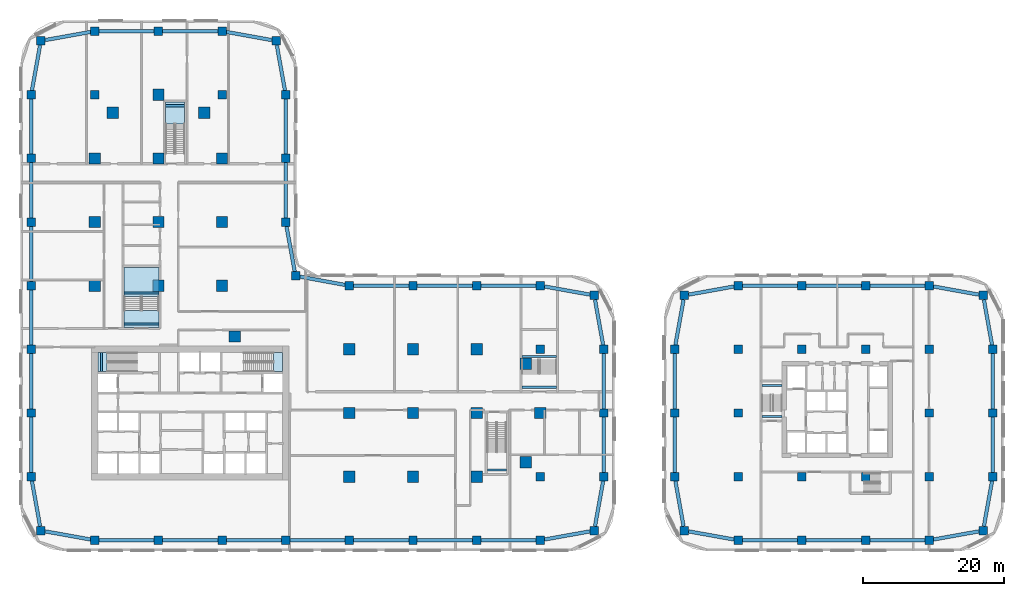
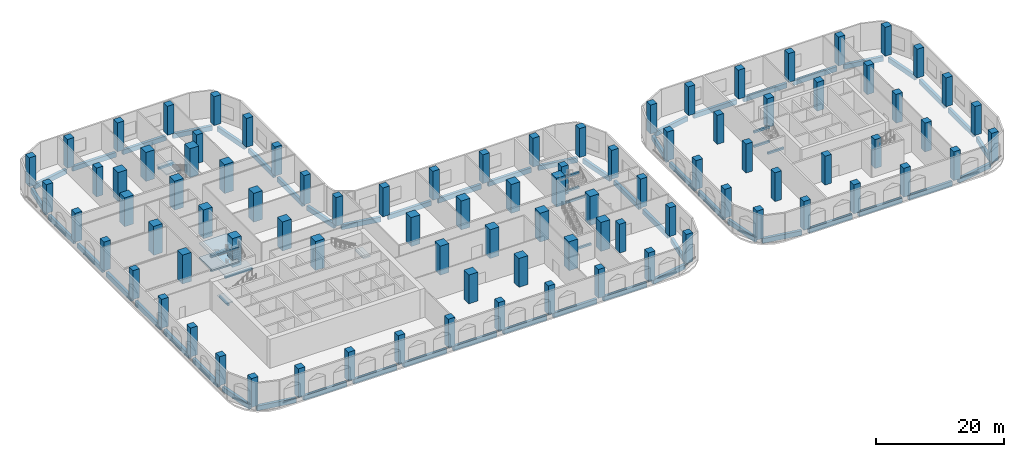
# One storey, part 1 of 31: 91 columns, 64 beams, 6 slabs, 4 elements without a shape of their own.
"""IFC4 building model written with IfcOpenShell, lengths in metres."""

from ifc_helpers import new_model, si_unit, direction, frame, origin, origin_2d, place, context, subcontext, project, spatial, polyline, rectangle, outline, extrude, material, layer, layer_set, material_profile, profile_set, type_object, element, aggregate, save


model = new_model("IFC4")

# Units and contexts
model_context = context("Model", 3, precision=1e-05, world=origin(), true_north=direction((0.0, 1.0)))
body_context = subcontext(model_context, "Body", "Model", "MODEL_VIEW")
ifc_project = project(units=[si_unit("LENGTHUNIT", "METRE"), si_unit("AREAUNIT", "SQUARE_METRE"), si_unit("VOLUMEUNIT", "CUBIC_METRE"), si_unit("PLANEANGLEUNIT", "RADIAN"), si_unit("MASSUNIT", "GRAM", prefix="KILO")], contexts=[model_context])

# Site, building, storey
site_placement = place(None, origin())
site = spatial("IfcSite", under=ifc_project, at=site_placement, CompositionType="ELEMENT")
building_placement = place(site_placement, origin())
building = spatial("IfcBuilding", under=site, at=building_placement, Name="Ogive Portal Towers", CompositionType="ELEMENT")
storey_placement = place(building_placement, frame((0.0, 0.0, 8.0)))
storey = spatial("IfcBuildingStorey", under=building, at=storey_placement, Name="L01", CompositionType="ELEMENT", Elevation=8.0)

# Columns
ifc_material_1 = material(Name="Concrete C50/60", Category="concrete")
ifc_material_profile_1 = material_profile(ifc_material_1, rectangle(XDim=1.199951171875, YDim=1.199951171875, at=origin_2d()), Name="RC 1200x1200")
ifc_profile_set_1 = profile_set([ifc_material_profile_1], Name="Concrete C50/60")
column_type_1 = type_object("IfcColumnType", Name="COLUMN RC 1200x1200", PredefinedType="COLUMN", material=ifc_profile_set_1)
for number, where, z_axis, x_axis, name in (
    (1, (31.5, 12.5, 0.0), (0.0, 0.0, 1.0), (1.0, 0.0, 0.0), "Column 1/Z L01"),
    (2, (40.5, 12.5, 0.0), (0.0, 0.0, 1.0), (1.0, 0.0, 0.0), "Column 2/Z L01"),
    (3, (49.5, 12.5, 0.0), (0.0, 0.0, 1.0), (1.0, 0.0, 0.0), "Column 3/Z L01"),
    (4, (58.5, 12.5, 0.0), (0.0, 0.0, 1.0), (1.0, 0.0, 0.0), "Column 4/Z L01"),
    (5, (67.5, 12.5, 0.0), (0.0, 0.0, 1.0), (1.0, 0.0, 0.0), "Column 5/Z L01"),
    (6, (76.5, 12.5, 0.0), (0.0, 0.0, 1.0), (1.0, 0.0, 0.0), "Column 6/Z L01"),
    (7, (85.5, 12.5, 0.0), (0.0, 0.0, 1.0), (1.0, 0.0, 0.0), "Column 7/Z L01"),
    (8, (94.5, 12.5, 0.0), (0.0, 0.0, 1.0), (1.0, 0.0, 0.0), "Column 8/Z L01"),
    (9, (23.8701171875, 13.8701171875, 0.0), (0.0, 0.0, 1.0), (1.0, 0.0, 0.0), "Column L01"),
    (10, (102.1298828125, 13.8701171875, 0.0), (0.0, 0.0, 1.0), (1.0, 0.0, 0.0), "Column L01"),
    (11, (22.5, 21.5, 0.0), (0.0, 0.0, 1.0), (1.0, 0.0, 0.0), "Column 0/A L01"),
    (12, (94.5, 21.5, 0.0), (0.0, 0.0, 1.0), (1.0, 0.0, 0.0), "Column 8/A L01"),
    (13, (103.5, 21.5, 0.0), (0.0, 0.0, 1.0), (1.0, 0.0, 0.0), "Column 9/A L01"),
    (14, (22.5, 30.5, 0.0), (0.0, 0.0, 1.0), (1.0, 0.0, 0.0), "Column 0/B L01"),
    (15, (103.5, 30.5, 0.0), (0.0, 0.0, 1.0), (1.0, 0.0, 0.0), "Column 9/B L01"),
    (16, (22.5, 39.5, 0.0), (0.0, 0.0, 1.0), (1.0, 0.0, 0.0), "Column 0/C L01"),
    (17, (94.5, 39.5, 0.0), (0.0, 0.0, 1.0), (1.0, 0.0, 0.0), "Column 8/C L01"),
    (18, (103.5, 39.5, 0.0), (0.0, 0.0, 1.0), (1.0, 0.0, 0.0), "Column 9/C L01"),
    (19, (102.1298828125, 47.1298828125, 0.0), (0.0, 0.0, 1.0), (1.0, 0.0, 0.0), "Column L01"),
    (20, (22.5, 48.5, 0.0), (0.0, 0.0, 1.0), (1.0, 0.0, 0.0), "Column 0/D L01"),
    (21, (67.5, 48.5, 0.0), (0.0, 0.0, 1.0), (1.0, 0.0, 0.0), "Column 5/D L01"),
    (22, (76.5, 48.5, 0.0), (0.0, 0.0, 1.0), (1.0, 0.0, 0.0), "Column 6/D L01"),
    (23, (85.5, 48.5, 0.0), (0.0, 0.0, 1.0), (1.0, 0.0, 0.0), "Column 7/D L01"),
    (24, (94.5, 48.5, 0.0), (0.0, 0.0, 1.0), (1.0, 0.0, 0.0), "Column 8/D L01"),
    (25, (59.889892578125, 49.889892578125, 0.0), (0.0, 0.0, 1.0), (1.0, 0.0, 0.0), "Column L01"),
    (26, (22.5, 57.5, 0.0), (0.0, 0.0, 1.0), (1.0, 0.0, 0.0), "Column 0/E L01"),
    (27, (58.5, 57.5, 0.0), (0.0, 0.0, 1.0), (1.0, 0.0, 0.0), "Column 4/E L01"),
    (28, (22.5, 66.5, 0.0), (0.0, 0.0, 1.0), (1.0, 0.0, 0.0), "Column 0/F L01"),
    (29, (58.5, 66.5, 0.0), (0.0, 0.0, 1.0), (1.0, 0.0, 0.0), "Column 4/F L01"),
    (30, (22.5, 75.5, 0.0), (0.0, 0.0, 1.0), (1.0, 0.0, 0.0), "Column 0/G L01"),
    (31, (31.5, 75.5, 0.0), (0.0, 0.0, 1.0), (1.0, 0.0, 0.0), "Column 1/G L01"),
    (32, (49.5, 75.5, 0.0), (0.0, 0.0, 1.0), (1.0, 0.0, 0.0), "Column 3/G L01"),
    (33, (58.5, 75.5, 0.0), (0.0, 0.0, 1.0), (1.0, 0.0, 0.0), "Column 4/G L01"),
    (34, (23.8701171875, 83.1298828125, 0.0), (0.0, 0.0, 1.0), (1.0, 0.0, 0.0), "Column L01"),
    (35, (57.1298828125, 83.1298828125, 0.0), (0.0, 0.0, 1.0), (1.0, 0.0, 0.0), "Column L01"),
    (36, (31.5, 84.5, 0.0), (0.0, 0.0, 1.0), (1.0, 0.0, 0.0), "Column 1/H1 L01"),
    (37, (40.5, 84.5, 0.0), (0.0, 0.0, 1.0), (1.0, 0.0, 0.0), "Column 2/H1 L01"),
    (38, (49.5, 84.5, 0.0), (0.0, 0.0, 1.0), (1.0, 0.0, 0.0), "Column 3/H1 L01"),
    (39, (122.5, 12.5, 0.0), (0.0, 0.0, 1.0), (1.0, 0.0, 0.0), "Column P2/Q1 L01"),
    (40, (131.5, 12.5, 0.0), (0.0, 0.0, 1.0), (1.0, 0.0, 0.0), "Column P3/Q1 L01"),
    (41, (140.5, 12.5, 0.0), (0.0, 0.0, 1.0), (1.0, 0.0, 0.0), "Column P4/Q1 L01"),
    (42, (149.5, 12.5, 0.0), (0.0, 0.0, 1.0), (1.0, 0.0, 0.0), "Column P5/Q1 L01"),
    (43, (114.8701171875, 13.8701171875, 0.0), (0.0, 0.0, 1.0), (1.0, 0.0, 0.0), "Column L01"),
    (44, (157.1298828125, 13.8701171875, 0.0), (0.0, 0.0, 1.0), (1.0, 0.0, 0.0), "Column L01"),
    (45, (113.5, 21.5, 0.0), (0.0, 0.0, 1.0), (1.0, 0.0, 0.0), "Column P1/Q2 L01"),
    (46, (122.5, 21.5, 0.0), (0.0, 0.0, 1.0), (1.0, 0.0, 0.0), "Column P2/Q2 L01"),
    (47, (131.5, 21.5, 0.0), (0.0, 0.0, 1.0), (1.0, 0.0, 0.0), "Column P3/Q2 L01"),
    (48, (140.5, 21.5, 0.0), (0.0, 0.0, 1.0), (1.0, 0.0, 0.0), "Column P4/Q2 L01"),
    (49, (149.5, 21.5, 0.0), (0.0, 0.0, 1.0), (1.0, 0.0, 0.0), "Column P5/Q2 L01"),
    (50, (158.5, 21.5, 0.0), (0.0, 0.0, 1.0), (1.0, 0.0, 0.0), "Column P6/Q2 L01"),
    (51, (113.5, 30.5, 0.0), (0.0, 0.0, 1.0), (1.0, 0.0, 0.0), "Column P1/Q3 L01"),
    (52, (122.5, 30.5, 0.0), (0.0, 0.0, 1.0), (1.0, 0.0, 0.0), "Column P2/Q3 L01"),
    (53, (149.5, 30.5, 0.0), (0.0, 0.0, 1.0), (1.0, 0.0, 0.0), "Column P5/Q3 L01"),
    (54, (158.5, 30.5, 0.0), (0.0, 0.0, 1.0), (1.0, 0.0, 0.0), "Column P6/Q3 L01"),
    (55, (113.5, 39.5, 0.0), (0.0, 0.0, 1.0), (1.0, 0.0, 0.0), "Column P1/Q4 L01"),
    (56, (122.5, 39.5, 0.0), (0.0, 0.0, 1.0), (1.0, 0.0, 0.0), "Column P2/Q4 L01"),
    (57, (131.5, 39.5, 0.0), (0.0, 0.0, 1.0), (1.0, 0.0, 0.0), "Column P3/Q4 L01"),
    (58, (140.5, 39.5, 0.0), (0.0, 0.0, 1.0), (1.0, 0.0, 0.0), "Column P4/Q4 L01"),
    (59, (149.5, 39.5, 0.0), (0.0, 0.0, 1.0), (1.0, 0.0, 0.0), "Column P5/Q4 L01"),
    (60, (158.5, 39.5, 0.0), (0.0, 0.0, 1.0), (1.0, 0.0, 0.0), "Column P6/Q4 L01"),
    (61, (114.8701171875, 47.1298828125, 0.0), (0.0, 0.0, 1.0), (1.0, 0.0, 0.0), "Column L01"),
    (62, (157.1298828125, 47.1298828125, 0.0), (0.0, 0.0, 1.0), (1.0, 0.0, 0.0), "Column L01"),
    (63, (122.5, 48.5, 0.0), (0.0, 0.0, 1.0), (1.0, 0.0, 0.0), "Column P2/Q5 L01"),
    (64, (131.5, 48.5, 0.0), (0.0, 0.0, 1.0), (1.0, 0.0, 0.0), "Column P3/Q5 L01"),
    (65, (140.5, 48.5, 0.0), (0.0, 0.0, 1.0), (1.0, 0.0, 0.0), "Column P4/Q5 L01"),
    (66, (149.5, 48.5, 0.0), (0.0, 0.0, 1.0), (1.0, 0.0, 0.0), "Column P5/Q5 L01"),
):
    element("IfcColumn", number, at=place(storey_placement, frame(where, z_axis=z_axis, x_axis=x_axis)), inside=storey, type_object=column_type_1, Name=name, PredefinedType="COLUMN", context=body_context, shape_type="SweptSolid", body=[
        extrude(rectangle(XDim=1.199951171875, YDim=1.199951171875, at=origin_2d()), origin(), (0.0, 0.0, 1.0), 5.5),
    ])
ifc_material_2 = material(Name="Concrete C60/75", Category="concrete")
ifc_material_profile_2 = material_profile(ifc_material_2, rectangle(XDim=1.60009765625, YDim=1.60009765625, at=origin_2d()), Name="RC 1600x1600")
ifc_profile_set_2 = profile_set([ifc_material_profile_2], Name="Concrete C60/75")
column_type_2 = type_object("IfcColumnType", Name="COLUMN RC 1600x1600", PredefinedType="COLUMN", material=ifc_profile_set_2)
for number, where, z_axis, x_axis, name in (
    (67, (67.5, 21.5, 0.0), (0.0, 0.0, 1.0), (1.0, 0.0, 0.0), "Column 5/A L01"),
    (68, (76.5, 21.5, 0.0), (0.0, 0.0, 1.0), (1.0, 0.0, 0.0), "Column 6/A L01"),
    (69, (85.5, 21.5, 0.0), (0.0, 0.0, 1.0), (1.0, 0.0, 0.0), "Column 7/A L01"),
    (70, (67.5, 30.5, 0.0), (0.0, 0.0, 1.0), (1.0, 0.0, 0.0), "Column 5/B L01"),
    (71, (76.5, 30.5, 0.0), (0.0, 0.0, 1.0), (1.0, 0.0, 0.0), "Column 6/B L01"),
    (72, (85.5, 30.5, 0.0), (0.0, 0.0, 1.0), (1.0, 0.0, 0.0), "Column 7/B L01"),
    (73, (94.5, 30.5, 0.0), (0.0, 0.0, 1.0), (1.0, 0.0, 0.0), "Column 8/B L01"),
    (74, (67.5, 39.5, 0.0), (0.0, 0.0, 1.0), (1.0, 0.0, 0.0), "Column 5/C L01"),
    (75, (76.5, 39.5, 0.0), (0.0, 0.0, 1.0), (1.0, 0.0, 0.0), "Column 6/C L01"),
    (76, (85.5, 39.5, 0.0), (0.0, 0.0, 1.0), (1.0, 0.0, 0.0), "Column 7/C L01"),
    (77, (31.5, 48.5, 0.0), (0.0, 0.0, 1.0), (1.0, 0.0, 0.0), "Column 1/D L01"),
    (78, (40.5, 48.5, 0.0), (0.0, 0.0, 1.0), (1.0, 0.0, 0.0), "Column 2/D L01"),
    (79, (49.5, 48.5, 0.0), (0.0, 0.0, 1.0), (1.0, 0.0, 0.0), "Column 3/D L01"),
    (80, (31.5, 57.5, 0.0), (0.0, 0.0, 1.0), (1.0, 0.0, 0.0), "Column 1/E L01"),
    (81, (40.5, 57.5, 0.0), (0.0, 0.0, 1.0), (1.0, 0.0, 0.0), "Column 2/E L01"),
    (82, (49.5, 57.5, 0.0), (0.0, 0.0, 1.0), (1.0, 0.0, 0.0), "Column 3/E L01"),
    (83, (31.5, 66.5, 0.0), (0.0, 0.0, 1.0), (1.0, 0.0, 0.0), "Column 1/F L01"),
    (84, (40.5, 66.5, 0.0), (0.0, 0.0, 1.0), (1.0, 0.0, 0.0), "Column 2/F L01"),
    (85, (49.5, 66.5, 0.0), (0.0, 0.0, 1.0), (1.0, 0.0, 0.0), "Column 3/F L01"),
    (86, (40.5, 75.5, 0.0), (0.0, 0.0, 1.0), (1.0, 0.0, 0.0), "Column 2/G L01"),
    (87, (34.030029296875, 72.969970703125, 0.0), (0.0, 0.0, 1.0), (1.0, 0.0, 0.0), "Column L01"),
    (88, (46.969970703125, 72.969970703125, 0.0), (0.0, 0.0, 1.0), (1.0, 0.0, 0.0), "Column L01"),
    (89, (51.31005859375, 41.31005859375, 0.0), (0.0, 0.0, 1.0), (1.0, 0.0, 0.0), "Column L01"),
    (90, (92.449951171875, 23.550048828125, 0.0), (0.0, 0.0, 1.0), (1.0, 0.0, 0.0), "Column L01"),
    (91, (92.449951171875, 37.449951171875, 0.0), (0.0, 0.0, 1.0), (1.0, 0.0, 0.0), "Column L01"),
):
    element("IfcColumn", number, at=place(storey_placement, frame(where, z_axis=z_axis, x_axis=x_axis)), inside=storey, type_object=column_type_2, Name=name, PredefinedType="COLUMN", context=body_context, shape_type="SweptSolid", body=[
        extrude(rectangle(XDim=1.60009765625, YDim=1.60009765625, at=origin_2d()), origin(), (0.0, 0.0, 1.0), 5.5),
    ])

# Beams
ifc_material_3 = material(Name="Concrete C40/50", Category="concrete")
ifc_material_profile_3 = material_profile(ifc_material_3, rectangle(XDim=0.300048828125, YDim=0.39990234375, at=origin_2d()), Name="RC 300x400")
ifc_profile_set_3 = profile_set([ifc_material_profile_3], Name="Concrete C40/50")
beam_type_1 = type_object("IfcBeamType", Name="BEAM RC 300x400", PredefinedType="BEAM", material=ifc_profile_set_3)
for number, where, z_axis, x_axis, name in (
    (92, (32.449951171875, 36.35009765625, 2.35009765625), (0.0, 1.0, 0.0), (-1.0, 0.0, 0.0), "Landing beam L01"),
    (93, (41.5, 73.949951171875, 2.35009765625), (1.0, 0.0, 0.0), (0.0, 1.0, 0.0), "Landing beam L01"),
    (94, (87.0, 22.449951171875, 2.35009765625), (1.0, 0.0, 0.0), (0.0, 1.0, 0.0), "Landing beam L01"),
):
    element("IfcBeam", number, at=place(storey_placement, frame(where, z_axis=z_axis, x_axis=x_axis)), inside=storey, type_object=beam_type_1, Name=name, PredefinedType="BEAM", context=body_context, shape_type="SweptSolid", body=[
        extrude(rectangle(XDim=0.300048828125, YDim=0.39990234375, at=origin_2d()), origin(), (0.0, 0.0, 1.0), 2.699951171875),
    ])
for number, where, z_axis, x_axis, name in (
    (95, (125.85009765625, 34.39990234375, 0.97509765625), (1.0, 0.0, 0.0), (0.0, 1.0, 0.0), "Landing beam L01"),
    (96, (125.85009765625, 30.0, 2.35009765625), (1.0, 0.0, 0.0), (0.0, 1.0, 0.0), "Landing beam L01"),
    (97, (125.85009765625, 34.39990234375, 3.72509765625), (1.0, 0.0, 0.0), (0.0, 1.0, 0.0), "Landing beam L01"),
):
    element("IfcBeam", number, at=place(storey_placement, frame(where, z_axis=z_axis, x_axis=x_axis)), inside=storey, type_object=beam_type_1, Name=name, PredefinedType="BEAM", context=body_context, shape_type="SweptSolid", body=[
        extrude(rectangle(XDim=0.300048828125, YDim=0.39990234375, at=origin_2d()), origin(), (0.0, 0.0, 1.0), 2.849853515625),
    ])
for number, where, z_axis, x_axis, name in (
    (98, (91.89990234375, 38.510009765625, 0.97509765625), (1.0, 0.0, 0.0), (0.0, 1.0, 0.0), "Landing beam L01"),
    (99, (91.89990234375, 34.14990234375, 2.35009765625), (1.0, 0.0, 0.0), (0.0, 1.0, 0.0), "Landing beam L01"),
    (100, (91.89990234375, 38.510009765625, 3.72509765625), (1.0, 0.0, 0.0), (0.0, 1.0, 0.0), "Landing beam L01"),
    (101, (35.64990234375, 47.4599609375, 0.97509765625), (1.0, 0.0, 0.0), (0.0, 1.0, 0.0), "Landing beam L01"),
    (102, (35.64990234375, 43.10009765625, 2.35009765625), (1.0, 0.0, 0.0), (0.0, 1.0, 0.0), "Landing beam L01"),
    (103, (35.64990234375, 47.4599609375, 3.72509765625), (1.0, 0.0, 0.0), (0.0, 1.0, 0.0), "Landing beam L01"),
):
    element("IfcBeam", number, at=place(storey_placement, frame(where, z_axis=z_axis, x_axis=x_axis)), inside=storey, type_object=beam_type_1, Name=name, PredefinedType="BEAM", context=body_context, shape_type="SweptSolid", body=[
        extrude(rectangle(XDim=0.300048828125, YDim=0.39990234375, at=origin_2d()), origin(), (0.0, 0.0, 1.0), 4.900146484375),
    ])
ifc_material_profile_4 = material_profile(ifc_material_1, rectangle(XDim=0.5, YDim=0.89990234375, at=origin_2d()), Name="RC 500x900")
ifc_profile_set_4 = profile_set([ifc_material_profile_4], Name="Concrete C50/60")
beam_type_2 = type_object("IfcBeamType", Name="PODIUM GIRDER RC 500x900", PredefinedType="BEAM", material=ifc_profile_set_4)
beam_1_placement = place(storey_placement, frame((24.469970703125, 13.76220703125, -0.75), z_axis=(0.984259207685, -0.176730903032, 0.0), x_axis=(0.176730903032, 0.984259207685, 0.0)))
element("IfcBeam", 104, at=beam_1_placement, inside=storey, type_object=beam_type_2, Name="Spandrel beam L01", PredefinedType="BEAM", context=body_context, shape_type="SweptSolid", body=[
    extrude(rectangle(XDim=0.5, YDim=0.89990234375, at=origin_2d()), origin(), (0.0, 0.0, 1.0), 6.53271484375),
])
for number, where, z_axis, x_axis, name in (
    (105, (32.10009765625, 12.5, -0.75), (1.0, 0.0, 0.0), (0.0, 1.0, 0.0), "Spandrel beam L01"),
    (106, (41.10009765625, 12.5, -0.75), (1.0, 0.0, 0.0), (0.0, 1.0, 0.0), "Spandrel beam L01"),
    (107, (50.10009765625, 12.5, -0.75), (1.0, 0.0, 0.0), (0.0, 1.0, 0.0), "Spandrel beam L01"),
    (108, (59.10009765625, 12.5, -0.75), (1.0, 0.0, 0.0), (0.0, 1.0, 0.0), "Spandrel beam L01"),
    (109, (68.10009765625, 12.5, -0.75), (1.0, 0.0, 0.0), (0.0, 1.0, 0.0), "Spandrel beam L01"),
    (110, (77.10009765625, 12.5, -0.75), (1.0, 0.0, 0.0), (0.0, 1.0, 0.0), "Spandrel beam L01"),
    (111, (86.10009765625, 12.5, -0.75), (1.0, 0.0, 0.0), (0.0, 1.0, 0.0), "Spandrel beam L01"),
):
    element("IfcBeam", number, at=place(storey_placement, frame(where, z_axis=z_axis, x_axis=x_axis)), inside=storey, type_object=beam_type_2, Name=name, PredefinedType="BEAM", context=body_context, shape_type="SweptSolid", body=[
        extrude(rectangle(XDim=0.5, YDim=0.89990234375, at=origin_2d()), origin(), (0.0, 0.0, 1.0), 7.7998046875),
    ])
for number, where, z_axis, x_axis, name in (
    (112, (95.10009765625, 12.607666015625, -0.75), (0.984259207685, 0.176730903032, 0.0), (-0.176730903032, 0.984259207685, 0.0), "Spandrel beam L01"),
    (113, (102.23779296875, 14.469970703125, -0.75), (0.176730903032, 0.984259207685, 0.0), (-0.984259207685, 0.176730903032, 0.0), "Spandrel beam L01"),
):
    element("IfcBeam", number, at=place(storey_placement, frame(where, z_axis=z_axis, x_axis=x_axis)), inside=storey, type_object=beam_type_2, Name=name, PredefinedType="BEAM", context=body_context, shape_type="SweptSolid", body=[
        extrude(rectangle(XDim=0.5, YDim=0.89990234375, at=origin_2d()), origin(), (0.0, 0.0, 1.0), 6.53271484375),
    ])
for number, where, z_axis, x_axis, name in (
    (114, (103.5, 22.10009765625, -0.75), (0.0, 1.0, 0.0), (-1.0, 0.0, 0.0), "Spandrel beam L01"),
    (115, (103.5, 31.10009765625, -0.75), (0.0, 1.0, 0.0), (-1.0, 0.0, 0.0), "Spandrel beam L01"),
):
    element("IfcBeam", number, at=place(storey_placement, frame(where, z_axis=z_axis, x_axis=x_axis)), inside=storey, type_object=beam_type_2, Name=name, PredefinedType="BEAM", context=body_context, shape_type="SweptSolid", body=[
        extrude(rectangle(XDim=0.5, YDim=0.89990234375, at=origin_2d()), origin(), (0.0, 0.0, 1.0), 7.7998046875),
    ])
for number, where, z_axis, x_axis, name in (
    (116, (103.392333984375, 40.10009765625, -0.75), (-0.176730903032, 0.984259207685, 0.0), (-0.984259207685, -0.176730903032, 0.0), "Spandrel beam L01"),
    (117, (101.530029296875, 47.23779296875, -0.75), (-0.984259207685, 0.176730903032, 0.0), (-0.176730903032, -0.984259207685, 0.0), "Spandrel beam L01"),
):
    element("IfcBeam", number, at=place(storey_placement, frame(where, z_axis=z_axis, x_axis=x_axis)), inside=storey, type_object=beam_type_2, Name=name, PredefinedType="BEAM", context=body_context, shape_type="SweptSolid", body=[
        extrude(rectangle(XDim=0.5, YDim=0.89990234375, at=origin_2d()), origin(), (0.0, 0.0, 1.0), 6.53271484375),
    ])
for number, where, z_axis, x_axis, name in (
    (118, (93.89990234375, 48.5, -0.75), (-1.0, 0.0, 0.0), (0.0, -1.0, 0.0), "Spandrel beam L01"),
    (119, (84.89990234375, 48.5, -0.75), (-1.0, 0.0, 0.0), (0.0, -1.0, 0.0), "Spandrel beam L01"),
    (120, (75.89990234375, 48.5, -0.75), (-1.0, 0.0, 0.0), (0.0, -1.0, 0.0), "Spandrel beam L01"),
):
    element("IfcBeam", number, at=place(storey_placement, frame(where, z_axis=z_axis, x_axis=x_axis)), inside=storey, type_object=beam_type_2, Name=name, PredefinedType="BEAM", context=body_context, shape_type="SweptSolid", body=[
        extrude(rectangle(XDim=0.5, YDim=0.89990234375, at=origin_2d()), origin(), (0.0, 0.0, 1.0), 7.7998046875),
    ])
for number, where, z_axis, x_axis, name in (
    (121, (66.89990234375, 48.609619140625, -0.75), (-0.983722101747, 0.179696484478, 0.0), (-0.179696484478, -0.983722101747, 0.0), "Spandrel beam L01"),
    (122, (59.780517578125, 50.489990234375, -0.75), (-0.179696484478, 0.983722101747, 0.0), (-0.983722101747, -0.179696484478, 0.0), "Spandrel beam L01"),
):
    element("IfcBeam", number, at=place(storey_placement, frame(where, z_axis=z_axis, x_axis=x_axis)), inside=storey, type_object=beam_type_2, Name=name, PredefinedType="BEAM", context=body_context, shape_type="SweptSolid", body=[
        extrude(rectangle(XDim=0.5, YDim=0.89990234375, at=origin_2d()), origin(), (0.0, 0.0, 1.0), 6.515869140625),
    ])
for number, where, z_axis, x_axis, name in (
    (123, (58.5, 58.10009765625, -0.75), (0.0, 1.0, 0.0), (-1.0, 0.0, 0.0), "Spandrel beam L01"),
    (124, (58.5, 67.10009765625, -0.75), (0.0, 1.0, 0.0), (-1.0, 0.0, 0.0), "Spandrel beam L01"),
):
    element("IfcBeam", number, at=place(storey_placement, frame(where, z_axis=z_axis, x_axis=x_axis)), inside=storey, type_object=beam_type_2, Name=name, PredefinedType="BEAM", context=body_context, shape_type="SweptSolid", body=[
        extrude(rectangle(XDim=0.5, YDim=0.89990234375, at=origin_2d()), origin(), (0.0, 0.0, 1.0), 7.7998046875),
    ])
for number, where, z_axis, x_axis, name in (
    (125, (58.392333984375, 76.10009765625, -0.75), (-0.176730903032, 0.984259207685, 0.0), (-0.984259207685, -0.176730903032, 0.0), "Spandrel beam L01"),
    (126, (56.530029296875, 83.23779296875, -0.75), (-0.984259207685, 0.176730903032, 0.0), (-0.176730903032, -0.984259207685, 0.0), "Spandrel beam L01"),
):
    element("IfcBeam", number, at=place(storey_placement, frame(where, z_axis=z_axis, x_axis=x_axis)), inside=storey, type_object=beam_type_2, Name=name, PredefinedType="BEAM", context=body_context, shape_type="SweptSolid", body=[
        extrude(rectangle(XDim=0.5, YDim=0.89990234375, at=origin_2d()), origin(), (0.0, 0.0, 1.0), 6.53271484375),
    ])
for number, where, z_axis, x_axis, name in (
    (127, (48.89990234375, 84.5, -0.75), (-1.0, 0.0, 0.0), (0.0, -1.0, 0.0), "Spandrel beam L01"),
    (128, (39.89990234375, 84.5, -0.75), (-1.0, 0.0, 0.0), (0.0, -1.0, 0.0), "Spandrel beam L01"),
):
    element("IfcBeam", number, at=place(storey_placement, frame(where, z_axis=z_axis, x_axis=x_axis)), inside=storey, type_object=beam_type_2, Name=name, PredefinedType="BEAM", context=body_context, shape_type="SweptSolid", body=[
        extrude(rectangle(XDim=0.5, YDim=0.89990234375, at=origin_2d()), origin(), (0.0, 0.0, 1.0), 7.7998046875),
    ])
for number, where, z_axis, x_axis, name in (
    (129, (30.89990234375, 84.392333984375, -0.75), (-0.984259207685, -0.176730903032, 0.0), (0.176730903032, -0.984259207685, 0.0), "Spandrel beam L01"),
    (130, (23.76220703125, 82.530029296875, -0.75), (-0.176730903032, -0.984259207685, 0.0), (0.984259207685, -0.176730903032, 0.0), "Spandrel beam L01"),
):
    element("IfcBeam", number, at=place(storey_placement, frame(where, z_axis=z_axis, x_axis=x_axis)), inside=storey, type_object=beam_type_2, Name=name, PredefinedType="BEAM", context=body_context, shape_type="SweptSolid", body=[
        extrude(rectangle(XDim=0.5, YDim=0.89990234375, at=origin_2d()), origin(), (0.0, 0.0, 1.0), 6.53271484375),
    ])
for number, where, z_axis, x_axis, name in (
    (131, (22.5, 74.89990234375, -0.75), (0.0, -1.0, 0.0), (1.0, 0.0, 0.0), "Spandrel beam L01"),
    (132, (22.5, 65.89990234375, -0.75), (0.0, -1.0, 0.0), (1.0, 0.0, 0.0), "Spandrel beam L01"),
    (133, (22.5, 56.89990234375, -0.75), (0.0, -1.0, 0.0), (1.0, 0.0, 0.0), "Spandrel beam L01"),
    (134, (22.5, 47.89990234375, -0.75), (0.0, -1.0, 0.0), (1.0, 0.0, 0.0), "Spandrel beam L01"),
    (135, (22.5, 38.89990234375, -0.75), (0.0, -1.0, 0.0), (1.0, 0.0, 0.0), "Spandrel beam L01"),
    (136, (22.5, 29.89990234375, -0.75), (0.0, -1.0, 0.0), (1.0, 0.0, 0.0), "Spandrel beam L01"),
):
    element("IfcBeam", number, at=place(storey_placement, frame(where, z_axis=z_axis, x_axis=x_axis)), inside=storey, type_object=beam_type_2, Name=name, PredefinedType="BEAM", context=body_context, shape_type="SweptSolid", body=[
        extrude(rectangle(XDim=0.5, YDim=0.89990234375, at=origin_2d()), origin(), (0.0, 0.0, 1.0), 7.7998046875),
    ])
for number, where, z_axis, x_axis, name in (
    (137, (22.607666015625, 20.89990234375, -0.75), (0.176730903032, -0.984259207685, 0.0), (0.984259207685, 0.176730903032, 0.0), "Spandrel beam L01"),
    (138, (115.469970703125, 13.76220703125, -0.75), (0.984259207685, -0.176730903032, 0.0), (0.176730903032, 0.984259207685, 0.0), "Spandrel beam L01"),
):
    element("IfcBeam", number, at=place(storey_placement, frame(where, z_axis=z_axis, x_axis=x_axis)), inside=storey, type_object=beam_type_2, Name=name, PredefinedType="BEAM", context=body_context, shape_type="SweptSolid", body=[
        extrude(rectangle(XDim=0.5, YDim=0.89990234375, at=origin_2d()), origin(), (0.0, 0.0, 1.0), 6.53271484375),
    ])
for number, where, z_axis, x_axis, name in (
    (139, (123.10009765625, 12.5, -0.75), (1.0, 0.0, 0.0), (0.0, 1.0, 0.0), "Spandrel beam L01"),
    (140, (132.10009765625, 12.5, -0.75), (1.0, 0.0, 0.0), (0.0, 1.0, 0.0), "Spandrel beam L01"),
    (141, (141.10009765625, 12.5, -0.75), (1.0, 0.0, 0.0), (0.0, 1.0, 0.0), "Spandrel beam L01"),
):
    element("IfcBeam", number, at=place(storey_placement, frame(where, z_axis=z_axis, x_axis=x_axis)), inside=storey, type_object=beam_type_2, Name=name, PredefinedType="BEAM", context=body_context, shape_type="SweptSolid", body=[
        extrude(rectangle(XDim=0.5, YDim=0.89990234375, at=origin_2d()), origin(), (0.0, 0.0, 1.0), 7.7998046875),
    ])
for number, where, z_axis, x_axis, name in (
    (142, (150.10009765625, 12.607666015625, -0.75), (0.984259207685, 0.176730903032, 0.0), (-0.176730903032, 0.984259207685, 0.0), "Spandrel beam L01"),
    (143, (157.23779296875, 14.469970703125, -0.75), (0.176730903032, 0.984259207685, 0.0), (-0.984259207685, 0.176730903032, 0.0), "Spandrel beam L01"),
):
    element("IfcBeam", number, at=place(storey_placement, frame(where, z_axis=z_axis, x_axis=x_axis)), inside=storey, type_object=beam_type_2, Name=name, PredefinedType="BEAM", context=body_context, shape_type="SweptSolid", body=[
        extrude(rectangle(XDim=0.5, YDim=0.89990234375, at=origin_2d()), origin(), (0.0, 0.0, 1.0), 6.53271484375),
    ])
for number, where, z_axis, x_axis, name in (
    (144, (158.5, 22.10009765625, -0.75), (0.0, 1.0, 0.0), (-1.0, 0.0, 0.0), "Spandrel beam L01"),
    (145, (158.5, 31.10009765625, -0.75), (0.0, 1.0, 0.0), (-1.0, 0.0, 0.0), "Spandrel beam L01"),
):
    element("IfcBeam", number, at=place(storey_placement, frame(where, z_axis=z_axis, x_axis=x_axis)), inside=storey, type_object=beam_type_2, Name=name, PredefinedType="BEAM", context=body_context, shape_type="SweptSolid", body=[
        extrude(rectangle(XDim=0.5, YDim=0.89990234375, at=origin_2d()), origin(), (0.0, 0.0, 1.0), 7.7998046875),
    ])
for number, where, z_axis, x_axis, name in (
    (146, (158.392333984375, 40.10009765625, -0.75), (-0.176730903032, 0.984259207685, 0.0), (-0.984259207685, -0.176730903032, 0.0), "Spandrel beam L01"),
    (147, (156.530029296875, 47.23779296875, -0.75), (-0.984259207685, 0.176730903032, 0.0), (-0.176730903032, -0.984259207685, 0.0), "Spandrel beam L01"),
):
    element("IfcBeam", number, at=place(storey_placement, frame(where, z_axis=z_axis, x_axis=x_axis)), inside=storey, type_object=beam_type_2, Name=name, PredefinedType="BEAM", context=body_context, shape_type="SweptSolid", body=[
        extrude(rectangle(XDim=0.5, YDim=0.89990234375, at=origin_2d()), origin(), (0.0, 0.0, 1.0), 6.53271484375),
    ])
for number, where, z_axis, x_axis, name in (
    (148, (148.89990234375, 48.5, -0.75), (-1.0, 0.0, 0.0), (0.0, -1.0, 0.0), "Spandrel beam L01"),
    (149, (139.89990234375, 48.5, -0.75), (-1.0, 0.0, 0.0), (0.0, -1.0, 0.0), "Spandrel beam L01"),
    (150, (130.89990234375, 48.5, -0.75), (-1.0, 0.0, 0.0), (0.0, -1.0, 0.0), "Spandrel beam L01"),
):
    element("IfcBeam", number, at=place(storey_placement, frame(where, z_axis=z_axis, x_axis=x_axis)), inside=storey, type_object=beam_type_2, Name=name, PredefinedType="BEAM", context=body_context, shape_type="SweptSolid", body=[
        extrude(rectangle(XDim=0.5, YDim=0.89990234375, at=origin_2d()), origin(), (0.0, 0.0, 1.0), 7.7998046875),
    ])
for number, where, z_axis, x_axis, name in (
    (151, (121.89990234375, 48.392333984375, -0.75), (-0.984259207685, -0.176730903032, 0.0), (0.176730903032, -0.984259207685, 0.0), "Spandrel beam L01"),
    (152, (114.76220703125, 46.530029296875, -0.75), (-0.176730903032, -0.984259207685, 0.0), (0.984259207685, -0.176730903032, 0.0), "Spandrel beam L01"),
):
    element("IfcBeam", number, at=place(storey_placement, frame(where, z_axis=z_axis, x_axis=x_axis)), inside=storey, type_object=beam_type_2, Name=name, PredefinedType="BEAM", context=body_context, shape_type="SweptSolid", body=[
        extrude(rectangle(XDim=0.5, YDim=0.89990234375, at=origin_2d()), origin(), (0.0, 0.0, 1.0), 6.53271484375),
    ])
for number, where, z_axis, x_axis, name in (
    (153, (113.5, 38.89990234375, -0.75), (0.0, -1.0, 0.0), (1.0, 0.0, 0.0), "Spandrel beam L01"),
    (154, (113.5, 29.89990234375, -0.75), (0.0, -1.0, 0.0), (1.0, 0.0, 0.0), "Spandrel beam L01"),
):
    element("IfcBeam", number, at=place(storey_placement, frame(where, z_axis=z_axis, x_axis=x_axis)), inside=storey, type_object=beam_type_2, Name=name, PredefinedType="BEAM", context=body_context, shape_type="SweptSolid", body=[
        extrude(rectangle(XDim=0.5, YDim=0.89990234375, at=origin_2d()), origin(), (0.0, 0.0, 1.0), 7.7998046875),
    ])
beam_2_placement = place(storey_placement, frame((113.607666015625, 20.89990234375, -0.75), z_axis=(0.176730903032, -0.984259207685, 0.0), x_axis=(0.984259207685, 0.176730903032, 0.0)))
element("IfcBeam", 155, at=beam_2_placement, inside=storey, type_object=beam_type_2, Name="Spandrel beam L01", PredefinedType="BEAM", context=body_context, shape_type="SweptSolid", body=[
    extrude(rectangle(XDim=0.5, YDim=0.89990234375, at=origin_2d()), origin(), (0.0, 0.0, 1.0), 6.53271484375),
])

# Stair, slab
stair_type = type_object("IfcStairType", Name="INT-STAIR", PredefinedType="HALF_TURN_STAIR", material=ifc_material_3)
stair_1_placement = place(storey_placement, origin())
stair_1 = element("IfcStair", 156, at=stair_1_placement, inside=storey, type_object=stair_type, Name="L01 Exit Stair ST-A1", PredefinedType="HALF_TURN_STAIR")
ifc_layer = layer(ifc_material_3, 0.199951171875)
ifc_layer_set = layer_set([ifc_layer], Name="INT-LANDING")
slab_type = type_object("IfcSlabType", Name="INT-LANDING", PredefinedType="LANDING", material=ifc_layer_set)
slab_1_placement = place(storey_placement, frame((0.0, 0.0, 2.550048828125)))
slab_1 = element("IfcSlab", 157, at=slab_1_placement, type_object=slab_type, Name="ST-A1 landing 1", PredefinedType="LANDING", context=body_context, shape_type="SweptSolid", body=[
    extrude(outline(polyline([(33.25, 39.050048828125), (31.949951171875, 39.050048828125), (31.949951171875, 36.35009765625), (33.25, 36.35009765625), (33.25, 39.050048828125)])), origin(), (0.0, 0.0, 1.0), 0.199951171875),
])
aggregate(stair_1, [slab_1])

stair_2_placement = place(storey_placement, origin())
stair_2 = element("IfcStair", 158, at=stair_2_placement, inside=storey, type_object=stair_type, Name="L01 Exit Stair ST-A2", PredefinedType="HALF_TURN_STAIR")
slab_2_placement = place(storey_placement, frame((0.0, 0.0, 2.550048828125)))
slab_2 = element("IfcSlab", 159, at=slab_2_placement, type_object=slab_type, Name="ST-A2 landing 1", PredefinedType="LANDING", context=body_context, shape_type="SweptSolid", body=[
    extrude(outline(polyline([(56.75, 36.35009765625), (58.050048828125, 36.35009765625), (58.050048828125, 39.050048828125), (56.75, 39.050048828125), (56.75, 36.35009765625)])), origin(), (0.0, 0.0, 1.0), 0.199951171875),
])
aggregate(stair_2, [slab_2])

stair_3_placement = place(storey_placement, origin())
stair_3 = element("IfcStair", 160, at=stair_3_placement, inside=storey, type_object=stair_type, Name="L01 Exit Stair ST-A3", PredefinedType="HALF_TURN_STAIR")
slab_3_placement = place(storey_placement, frame((0.0, 0.0, 2.550048828125)))
slab_3 = element("IfcSlab", 161, at=slab_3_placement, type_object=slab_type, Name="ST-A3 landing 1", PredefinedType="LANDING", context=body_context, shape_type="SweptSolid", body=[
    extrude(outline(polyline([(44.199951171875, 71.39990234375), (44.199951171875, 74.449951171875), (41.5, 74.449951171875), (41.5, 71.39990234375), (44.199951171875, 71.39990234375)])), origin(), (0.0, 0.0, 1.0), 0.199951171875),
])
aggregate(stair_3, [slab_3])

# Stair, slabs
stair_4_placement = place(storey_placement, origin())
stair_4 = element("IfcStair", 162, at=stair_4_placement, inside=storey, type_object=stair_type, Name="L01 Exit Stair ST-P2", PredefinedType="HALF_TURN_STAIR")
slab_4_placement = place(storey_placement, frame((0.0, 0.0, 1.175048828125)))
slab_4 = element("IfcSlab", 163, at=slab_4_placement, type_object=slab_type, Name="ST-P2 landing 1", PredefinedType="LANDING", context=body_context, shape_type="SweptSolid", body=[
    extrude(outline(polyline([(40.550048828125, 46.9599609375), (40.550048828125, 51.10009765625), (35.64990234375, 51.10009765625), (35.64990234375, 46.9599609375), (40.550048828125, 46.9599609375)])), origin(), (0.0, 0.0, 1.0), 0.199951171875),
])
slab_5_placement = place(storey_placement, frame((0.0, 0.0, 2.550048828125)))
slab_5 = element("IfcSlab", 164, at=slab_5_placement, type_object=slab_type, Name="ST-P2 landing 2", PredefinedType="LANDING", context=body_context, shape_type="SweptSolid", body=[
    extrude(outline(polyline([(40.550048828125, 42.60009765625), (40.550048828125, 45.0), (35.64990234375, 45.0), (35.64990234375, 42.60009765625), (40.550048828125, 42.60009765625)])), origin(), (0.0, 0.0, 1.0), 0.199951171875),
])
slab_6_placement = place(storey_placement, frame((0.0, 0.0, 3.925048828125)))
slab_6 = element("IfcSlab", 165, at=slab_6_placement, type_object=slab_type, Name="ST-P2 landing 3", PredefinedType="LANDING", context=body_context, shape_type="SweptSolid", body=[
    extrude(outline(polyline([(40.550048828125, 46.9599609375), (40.550048828125, 51.10009765625), (35.64990234375, 51.10009765625), (35.64990234375, 46.9599609375), (40.550048828125, 46.9599609375)])), origin(), (0.0, 0.0, 1.0), 0.199951171875),
])
aggregate(stair_4, [slab_4, slab_5, slab_6])

save(model, "model.ifc")
